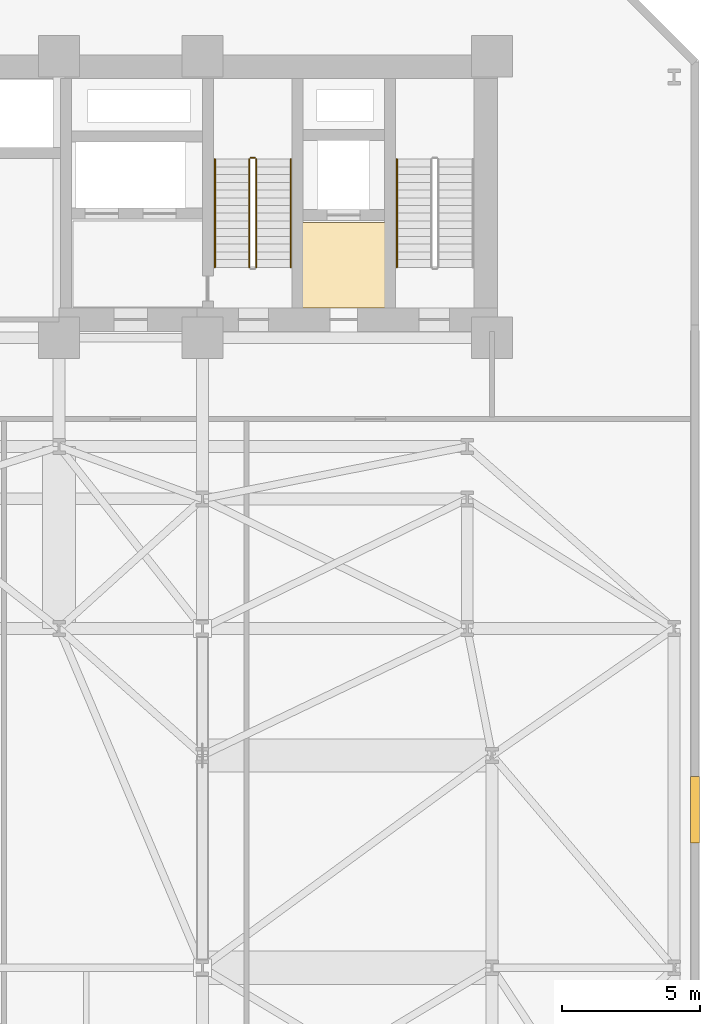
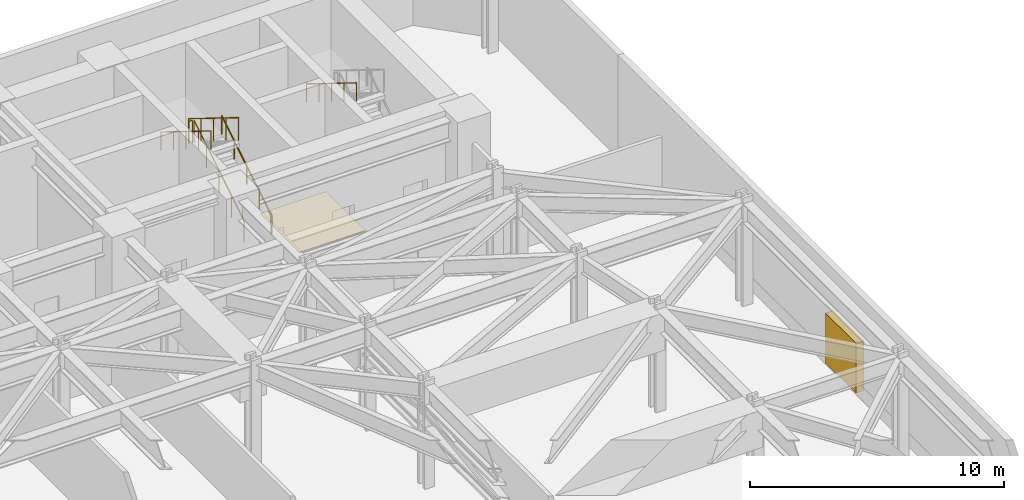
# One storey, part 12 of 14: 6 railings, 1 covering, 1 shading device.
"""IFC4 building model written with IfcOpenShell, lengths in metres."""

import ifcopenshell
import ifcopenshell.guid

model = None  # the IFC model being written
_history = None  # IfcOwnerHistory: only IFC2X3 demands one
_inside = {}  # id of a spatial element -> (the spatial element, [elements in it])
_under = {}  # id of a project, library or spatial element -> (it, [spatial elements below it])
_declared = {}  # id of a project -> (the project, [libraries it declares])
_typed = {}  # id of a type object -> (the type object, [elements of that type])
_made_of = {}  # id of a material, layer set ... -> (it, [elements and type objects made of it])


def new_model(schema):
    """Start an empty IFC model of exactly this schema.

    Asked for "IFC4X3", IfcOpenShell would pick the latest addendum, in which some entities
    have other attributes; the version numbers below select the first issue.
    IFC2X3 requires an IfcOwnerHistory on every rooted entity: one is made here for all.
    """
    global model, _history
    if schema == "IFC4X3":
        model = ifcopenshell.file(schema_version=(4, 3, 0, 0))
    else:
        model = ifcopenshell.file(schema=schema)
    _inside.clear()
    _under.clear()
    _declared.clear()
    _typed.clear()
    _made_of.clear()
    _history = None
    if model.schema == "IFC2X3":
        org = make("IfcOrganization", Name="unknown")
        user = make(
            "IfcPersonAndOrganization",
            ThePerson=make("IfcPerson", FamilyName="unknown"),
            TheOrganization=org,
        )
        app = make(
            "IfcApplication",
            ApplicationDeveloper=org,
            Version="unknown",
            ApplicationFullName="unknown",
            ApplicationIdentifier="unknown",
        )
        _history = make(
            "IfcOwnerHistory",
            OwningUser=user,
            OwningApplication=app,
            ChangeAction="ADDED",
            CreationDate=0,
        )
    return model


def make(cls, **values):
    """One entity of the class cls with the attributes given. An attribute that is None is left unset."""
    return model.create_entity(
        cls, **{name: value for name, value in values.items() if value is not None}
    )


def rooted(cls, **values):
    """An entity with a GlobalId (a new one), such as an element, a storey or a relation."""
    return make(cls, GlobalId=ifcopenshell.guid.new(), OwnerHistory=_history, **values)


def si_unit(unit_type, name, prefix=None):
    """IfcSIUnit, for example si_unit("LENGTHUNIT", "METRE", prefix="MILLI")."""
    return make("IfcSIUnit", UnitType=unit_type, Prefix=prefix, Name=name)


def assignment(units):
    """IfcUnitAssignment: the units of a project."""
    return None if units is None else make("IfcUnitAssignment", Units=units)


def point(xyz):
    """IfcCartesianPoint."""
    return None if xyz is None else make("IfcCartesianPoint", Coordinates=xyz)


def direction(xyz):
    """IfcDirection."""
    return None if xyz is None else make("IfcDirection", DirectionRatios=xyz)


def frame(location, z_axis=None, x_axis=None):
    """IfcAxis2Placement3D, a coordinate frame: its origin and axes. An axis left out is left unset."""
    return make(
        "IfcAxis2Placement3D",
        Location=point(location),
        Axis=direction(z_axis),
        RefDirection=direction(x_axis),
    )


def frame_2d(location, x_axis=None):
    """IfcAxis2Placement2D, a coordinate frame in the plane: its origin and x axis."""
    return make(
        "IfcAxis2Placement2D", Location=point(location), RefDirection=direction(x_axis)
    )


def origin():
    """The frame at (0, 0, 0) with its axes left unset."""
    return frame((0.0, 0.0, 0.0))


def origin_2d():
    """The frame at (0, 0) in the plane with its x axis left unset."""
    return frame_2d((0.0, 0.0))


def place(relative_to, where):
    """IfcLocalPlacement: puts the frame where relative to a parent placement (None: the world)."""
    return make(
        "IfcLocalPlacement", PlacementRelTo=relative_to, RelativePlacement=where
    )


def context(
    kind, dimensions, precision=None, world=None, true_north=None, identifier=None
):
    """IfcGeometricRepresentationContext, for example the 3D "Model" context."""
    return make(
        "IfcGeometricRepresentationContext",
        ContextIdentifier=identifier,
        ContextType=kind,
        CoordinateSpaceDimension=dimensions,
        Precision=precision,
        WorldCoordinateSystem=world,
        TrueNorth=true_north,
    )


def subcontext(parent, identifier, kind, view, scale=None):
    """IfcGeometricRepresentationSubContext, for example "Body" below "Model"."""
    return make(
        "IfcGeometricRepresentationSubContext",
        ContextIdentifier=identifier,
        ContextType=kind,
        ParentContext=parent,
        TargetScale=scale,
        TargetView=view,
    )


def project(units=None, contexts=None):
    """IfcProject with its units and contexts."""
    return rooted(
        "IfcProject",
        Name="project",
        RepresentationContexts=contexts,
        UnitsInContext=assignment(units),
    )


def spatial(cls, under=None, at=None, **own):
    """A site, building, storey or space (cls), placed at a placement, below another one or the project."""
    s = rooted(cls, ObjectPlacement=at, **own)
    if under is not None:
        _under.setdefault(under.id(), (under, []))[1].append(s)
    return s


def polyline(points):
    """IfcPolyline through the points."""
    return make("IfcPolyline", Points=[point(p) for p in points])


def profile(cls, at=None, kind="AREA", **sizes):
    """A parametric profile (cls). Its sizes go by their IFC names, for example OverallWidth=200.0."""
    return make(cls, ProfileType=kind, Position=at, **sizes)


def rectangle(**sizes):
    """IfcRectangleProfileDef."""
    return profile("IfcRectangleProfileDef", **sizes)


def circle(**sizes):
    """IfcCircleProfileDef."""
    return profile("IfcCircleProfileDef", **sizes)


def outline(outer, holes=None, kind="AREA"):
    """IfcArbitraryClosedProfileDef: a profile drawn as a closed curve; with holes, ...WithVoids."""
    if holes is None:
        return make("IfcArbitraryClosedProfileDef", ProfileType=kind, OuterCurve=outer)
    return make(
        "IfcArbitraryProfileDefWithVoids",
        ProfileType=kind,
        OuterCurve=outer,
        InnerCurves=holes,
    )


def extrude(swept, where, along, depth):
    """IfcExtrudedAreaSolid: the profile swept, set in the frame where, extruded along a direction by depth."""
    return make(
        "IfcExtrudedAreaSolid",
        SweptArea=swept,
        Position=where,
        ExtrudedDirection=direction(along),
        Depth=depth,
    )


def shape(context_of_items, identifier, shape_type, items):
    """IfcShapeRepresentation: the items that make up one representation, for example the "Body"."""
    return make(
        "IfcShapeRepresentation",
        ContextOfItems=context_of_items,
        RepresentationIdentifier=identifier,
        RepresentationType=shape_type,
        Items=items,
    )


def material(Name=None, Category=None):
    """IfcMaterial."""
    return make("IfcMaterial", Name=Name, Category=Category)


def layer(
    of_material, thickness, ventilated=None, Name=None, Category=None, Priority=None
):
    """IfcMaterialLayer: one layer of a wall or slab, of a material (None: an air gap)."""
    return make(
        "IfcMaterialLayer",
        Material=of_material,
        LayerThickness=thickness,
        IsVentilated=ventilated,
        Name=Name,
        Category=Category,
        Priority=Priority,
    )


def layer_set(layers, Name=None):
    """IfcMaterialLayerSet."""
    return make("IfcMaterialLayerSet", MaterialLayers=layers, LayerSetName=Name)


def made_of(thing, what):
    """Note that an element or type object is made of a material, layer set ...; save() writes the relation."""
    if what is not None:
        _made_of.setdefault(what.id(), (what, []))[1].append(thing)
    return thing


def type_object(cls, material=None, **own):
    """A type object (cls), such as IfcWallType, which elements share."""
    return made_of(rooted(cls, **own), material)


def element(
    cls,
    number,
    at=None,
    inside=None,
    cuts=None,
    type_object=None,
    material=None,
    context=None,
    identifier="Body",
    shape_type=None,
    held_by="IfcProductDefinitionShape",
    body=None,
    shapes=None,
    **own,
):
    """One element of the class cls, such as IfcWall. Its Tag is "e" and its number.

    at: its placement. inside: the storey or other place that contains it. cuts: it is an
    opening in that element (IfcRelVoidsElement). A single representation is given by context,
    identifier, shape_type and body (its items); several are given by shapes. held_by: the class
    of the entity that holds the representations. save() writes the other relations.
    """
    e = rooted(cls, Tag="e%d" % number, ObjectPlacement=at, **own)
    if body is not None:
        shapes = [shape(context, identifier, shape_type, body)]
    if shapes is not None:
        e.Representation = make(held_by, Representations=shapes)
    if inside is not None:
        _inside.setdefault(inside.id(), (inside, []))[1].append(e)
    if cuts is not None:
        rooted(
            "IfcRelVoidsElement", RelatingBuildingElement=cuts, RelatedOpeningElement=e
        )
    if type_object is not None:
        _typed.setdefault(type_object.id(), (type_object, []))[1].append(e)
    return made_of(e, material)


def aggregate(whole, parts):
    """IfcRelAggregates: a whole, such as a stair, and the parts it consists of."""
    return rooted("IfcRelAggregates", RelatingObject=whole, RelatedObjects=parts)


def save(model, path):
    """Write the relations noted so far, then the file.

    IfcRelAggregates (storeys below a building ...), IfcRelContainedInSpatialStructure (elements
    in a storey), IfcRelDefinesByType, IfcRelAssociatesMaterial and IfcRelDeclares: one each for
    every whole, place, type object, material and project.
    """
    for whole, parts in _under.values():
        aggregate(whole, parts)
    for where, things in _inside.values():
        rooted(
            "IfcRelContainedInSpatialStructure",
            RelatedElements=things,
            RelatingStructure=where,
        )
    for kind, things in _typed.values():
        rooted("IfcRelDefinesByType", RelatedObjects=things, RelatingType=kind)
    for what, things in _made_of.values():
        rooted("IfcRelAssociatesMaterial", RelatedObjects=things, RelatingMaterial=what)
    for by, libraries in _declared.values():
        rooted("IfcRelDeclares", RelatingContext=by, RelatedDefinitions=libraries)
    model.write(path)


model = new_model("IFC4")

# Units and contexts
model_context = context("Model", 3, precision=1e-05, world=origin(), true_north=direction((0.0, 1.0)))
body_context = subcontext(model_context, "Body", "Model", "MODEL_VIEW")
ifc_project = project(units=[si_unit("LENGTHUNIT", "METRE"), si_unit("AREAUNIT", "SQUARE_METRE"), si_unit("VOLUMEUNIT", "CUBIC_METRE"), si_unit("PLANEANGLEUNIT", "RADIAN"), si_unit("MASSUNIT", "GRAM", prefix="KILO")], contexts=[model_context])

# Site, building, storey
site_placement = place(None, origin())
site = spatial("IfcSite", under=ifc_project, at=site_placement, CompositionType="ELEMENT")
building_placement = place(site_placement, origin())
building = spatial("IfcBuilding", under=site, at=building_placement, Name="Kravanh Interchange Tower", CompositionType="ELEMENT")
storey_placement = place(building_placement, frame((0.0, 0.0, 24.300048828125)))
storey = spatial("IfcBuildingStorey", under=building, at=storey_placement, Name="L05", CompositionType="ELEMENT", Elevation=24.300048828125)

# Shading device
ifc_material_1 = material(Name="Extruded Bronze Aluminium Acoustic Blades", Category="aluminium")
ifc_layer_1 = layer(ifc_material_1, 0.219970703125)
ifc_layer_set_1 = layer_set([ifc_layer_1], Name="Acoustic Weatherproof Plant Louvre Bank")
shading_device_type = type_object("IfcShadingDeviceType", Name="Acoustic Weatherproof Plant Louvre Bank", PredefinedType="JALOUSIE", material=ifc_layer_set_1)
shading_device_placement = place(storey_placement, frame((73.860107421875, 20.22900390625, 0.10009765625), z_axis=(0.0, 0.0, 1.0), x_axis=(0.0, -1.0, 0.0)))
element("IfcShadingDevice", 1, at=shading_device_placement, inside=storey, type_object=shading_device_type, Name="L05 Exterior Acoustic Louvre 7", PredefinedType="JALOUSIE", context=body_context, shape_type="SweptSolid", body=[
    extrude(rectangle(XDim=2.39990234375, YDim=0.340087890625, at=origin_2d()), origin(), (0.0, 0.0, 1.0), 2.39990234375),
])

# Covering
ifc_material_2 = material(Name="Cementitious Terrazzo Tile")
ifc_layer_2 = layer(ifc_material_2, 0.030029296875)
ifc_layer_set_2 = layer_set([ifc_layer_2], Name="Honed Terrazzo Lobby Flooring 30mm")
covering_type = type_object("IfcCoveringType", Name="Honed Terrazzo Lobby Flooring 30mm", PredefinedType="FLOORING", material=ifc_layer_set_2)
covering_placement = place(storey_placement, origin())
element("IfcCovering", 2, at=covering_placement, inside=storey, type_object=covering_type, Name="L05 Service Lift Lobby Floor Finish", PredefinedType="FLOORING", context=body_context, shape_type="SweptSolid", body=[
    extrude(outline(polyline([(59.6298828125, 41.52001953125), (62.6201171875, 41.52001953125), (62.6201171875, 38.429931640625), (59.6298828125, 38.429931640625), (59.6298828125, 41.52001953125)])), origin(), (0.0, 0.0, 1.0), 0.030029296875),
])

# Railings
ifc_material_3 = material(Name="Structural Steel S355", Category="steel")
ifc_layer_3 = layer(ifc_material_3, 0.050048828125)
ifc_layer_set_3 = layer_set([ifc_layer_3], Name="Stair Well Guardrail Structural Steel S355 1100mm")
railing_type_1 = type_object("IfcRailingType", Name="Stair Well Guardrail Structural Steel S355 1100mm", PredefinedType="GUARDRAIL", material=ifc_layer_set_3)
railing_1_placement = place(storey_placement, frame((57.949951171875, 39.89990234375, 0.17333984375)))
element("IfcRailing", 3, at=railing_1_placement, inside=storey, type_object=railing_type_1, Name="L05 ST2 stair guard 1", PredefinedType="GUARDRAIL", context=body_context, shape_type="SweptSolid", body=[
    extrude(circle(Radius=0.02392578125, at=origin_2d()), frame((0.0, 0.0, 1.076171875), z_axis=(0.0, 0.850289973577, 0.526314507528), x_axis=(-1.0, 0.0, 0.0)), (0.0, 0.0, 1.0), 4.6103515625),
    extrude(circle(Radius=0.02099609375, at=origin_2d()), origin(), (0.0, 0.0, 1.0), 1.052001953125),
    extrude(circle(Radius=0.02099609375, at=origin_2d()), frame((0.0, 0.97998046875, 0.606689453125)), (0.0, 0.0, 1.0), 1.052001953125),
    extrude(circle(Radius=0.02099609375, at=origin_2d()), frame((0.0, 1.9599609375, 1.21337890625)), (0.0, 0.0, 1.0), 1.052001953125),
    extrude(circle(Radius=0.02099609375, at=origin_2d()), frame((0.0, 2.940185546875, 1.81982421875)), (0.0, 0.0, 1.0), 1.052001953125),
    extrude(circle(Radius=0.02099609375, at=origin_2d()), frame((0.0, 3.920166015625, 2.426513671875)), (0.0, 0.0, 1.0), 1.052001953125),
])
railing_2_placement = place(storey_placement, frame((57.89990234375, 43.8701171875, 2.599853515625)))
element("IfcRailing", 4, at=railing_2_placement, inside=storey, type_object=railing_type_1, Name="L05 ST2 stair guard 2", PredefinedType="GUARDRAIL", context=body_context, shape_type="SweptSolid", body=[
    extrude(circle(Radius=0.02392578125, at=origin_2d()), frame((0.0, 0.0, 1.076171875), z_axis=(-1.0, 0.0, 0.0), x_axis=(0.0, -1.0, 0.0)), (0.0, 0.0, 1.0), 0.14990234375),
    extrude(circle(Radius=0.02099609375, at=origin_2d()), origin(), (0.0, 0.0, 1.0), 1.052001953125),
    extrude(circle(Radius=0.02099609375, at=origin_2d()), frame((-0.14990234375, 0.0, 0.0)), (0.0, 0.0, 1.0), 1.052001953125),
])
railing_3_placement = place(storey_placement, frame((57.699951171875, 43.820068359375, 2.773193359375)))
element("IfcRailing", 5, at=railing_3_placement, inside=storey, type_object=railing_type_1, Name="L05 ST2 stair guard 3", PredefinedType="GUARDRAIL", context=body_context, shape_type="SweptSolid", body=[
    extrude(circle(Radius=0.02392578125, at=origin_2d()), frame((0.0, 0.0, 1.076171875), z_axis=(0.0, -0.850266275192, 0.526352791643), x_axis=(1.0, 0.0, 0.0)), (0.0, 0.0, 1.0), 4.610595703125),
    extrude(circle(Radius=0.02099609375, at=origin_2d()), origin(), (0.0, 0.0, 1.0), 1.052001953125),
    extrude(circle(Radius=0.02099609375, at=origin_2d()), frame((0.0, -0.97998046875, 0.606689453125)), (0.0, 0.0, 1.0), 1.052001953125),
    extrude(circle(Radius=0.02099609375, at=origin_2d()), frame((0.0, -1.9599609375, 1.21337890625)), (0.0, 0.0, 1.0), 1.052001953125),
    extrude(circle(Radius=0.02099609375, at=origin_2d()), frame((0.0, -2.940185546875, 1.820068359375)), (0.0, 0.0, 1.0), 1.052001953125),
    extrude(circle(Radius=0.02099609375, at=origin_2d()), frame((0.0, -3.920166015625, 2.4267578125)), (0.0, 0.0, 1.0), 1.052001953125),
])
ifc_material_4 = material(Name="Stainless Steel 304", Category="steel")
ifc_layer_4 = layer(ifc_material_4, 0.044921875)
ifc_layer_set_4 = layer_set([ifc_layer_4], Name="Tubular Stair Handrail Stainless 304 900mm")
railing_type_2 = type_object("IfcRailingType", Name="Tubular Stair Handrail Stainless 304 900mm", PredefinedType="HANDRAIL", material=ifc_layer_set_4)
railing_4_placement = place(storey_placement, frame((63.050048828125, 43.820068359375, 2.773193359375)))
element("IfcRailing", 6, at=railing_4_placement, inside=storey, type_object=railing_type_2, Name="L05 ST1 stair handrail 2", PredefinedType="HANDRAIL", context=body_context, shape_type="SweptSolid", body=[
    extrude(circle(Radius=0.02392578125, at=origin_2d()), frame((0.0, 0.0, 0.8759765625), z_axis=(0.0, -0.850266275192, 0.526352791643), x_axis=(1.0, 0.0, 0.0)), (0.0, 0.0, 1.0), 4.610595703125),
    extrude(circle(Radius=0.02099609375, at=origin_2d()), origin(), (0.0, 0.0, 1.0), 0.851806640625),
    extrude(circle(Radius=0.02099609375, at=origin_2d()), frame((0.0, -0.97998046875, 0.606689453125)), (0.0, 0.0, 1.0), 0.851806640625),
    extrude(circle(Radius=0.02099609375, at=origin_2d()), frame((0.0, -1.9599609375, 1.21337890625)), (0.0, 0.0, 1.0), 0.851806640625),
    extrude(circle(Radius=0.02099609375, at=origin_2d()), frame((0.0, -2.940185546875, 1.820068359375)), (0.0, 0.0, 1.0), 0.851806640625),
    extrude(circle(Radius=0.02099609375, at=origin_2d()), frame((0.0, -3.920166015625, 2.4267578125)), (0.0, 0.0, 1.0), 0.851806640625),
])
railing_5_placement = place(storey_placement, frame((59.199951171875, 39.89990234375, 0.17333984375)))
element("IfcRailing", 7, at=railing_5_placement, inside=storey, type_object=railing_type_2, Name="L05 ST2 stair handrail 1", PredefinedType="HANDRAIL", context=body_context, shape_type="SweptSolid", body=[
    extrude(circle(Radius=0.02392578125, at=origin_2d()), frame((0.0, 0.0, 0.8759765625), z_axis=(0.0, 0.850289973577, 0.526314507528), x_axis=(-1.0, 0.0, 0.0)), (0.0, 0.0, 1.0), 4.6103515625),
    extrude(circle(Radius=0.02099609375, at=origin_2d()), origin(), (0.0, 0.0, 1.0), 0.851806640625),
    extrude(circle(Radius=0.02099609375, at=origin_2d()), frame((0.0, 0.97998046875, 0.606689453125)), (0.0, 0.0, 1.0), 0.851806640625),
    extrude(circle(Radius=0.02099609375, at=origin_2d()), frame((0.0, 1.9599609375, 1.21337890625)), (0.0, 0.0, 1.0), 0.851806640625),
    extrude(circle(Radius=0.02099609375, at=origin_2d()), frame((0.0, 2.940185546875, 1.81982421875)), (0.0, 0.0, 1.0), 0.851806640625),
    extrude(circle(Radius=0.02099609375, at=origin_2d()), frame((0.0, 3.920166015625, 2.426513671875)), (0.0, 0.0, 1.0), 0.851806640625),
])
railing_6_placement = place(storey_placement, frame((56.449951171875, 43.820068359375, 2.773193359375)))
element("IfcRailing", 8, at=railing_6_placement, inside=storey, type_object=railing_type_2, Name="L05 ST2 stair handrail 2", PredefinedType="HANDRAIL", context=body_context, shape_type="SweptSolid", body=[
    extrude(circle(Radius=0.02392578125, at=origin_2d()), frame((0.0, 0.0, 0.8759765625), z_axis=(0.0, -0.850266275192, 0.526352791643), x_axis=(1.0, 0.0, 0.0)), (0.0, 0.0, 1.0), 4.610595703125),
    extrude(circle(Radius=0.02099609375, at=origin_2d()), origin(), (0.0, 0.0, 1.0), 0.851806640625),
    extrude(circle(Radius=0.02099609375, at=origin_2d()), frame((0.0, -0.97998046875, 0.606689453125)), (0.0, 0.0, 1.0), 0.851806640625),
    extrude(circle(Radius=0.02099609375, at=origin_2d()), frame((0.0, -1.9599609375, 1.21337890625)), (0.0, 0.0, 1.0), 0.851806640625),
    extrude(circle(Radius=0.02099609375, at=origin_2d()), frame((0.0, -2.940185546875, 1.820068359375)), (0.0, 0.0, 1.0), 0.851806640625),
    extrude(circle(Radius=0.02099609375, at=origin_2d()), frame((0.0, -3.920166015625, 2.4267578125)), (0.0, 0.0, 1.0), 0.851806640625),
])

save(model, "model.ifc")
